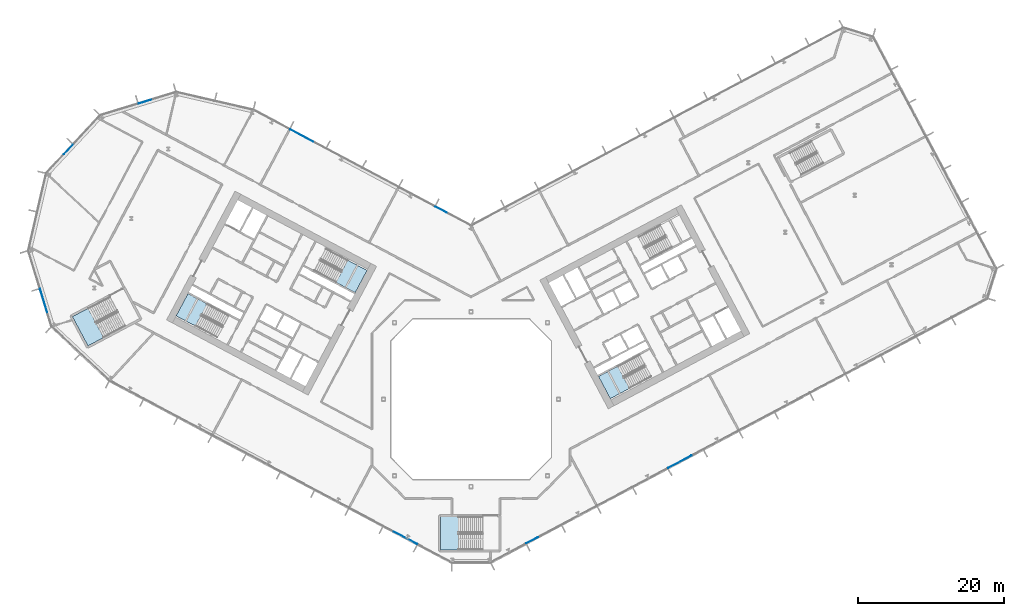
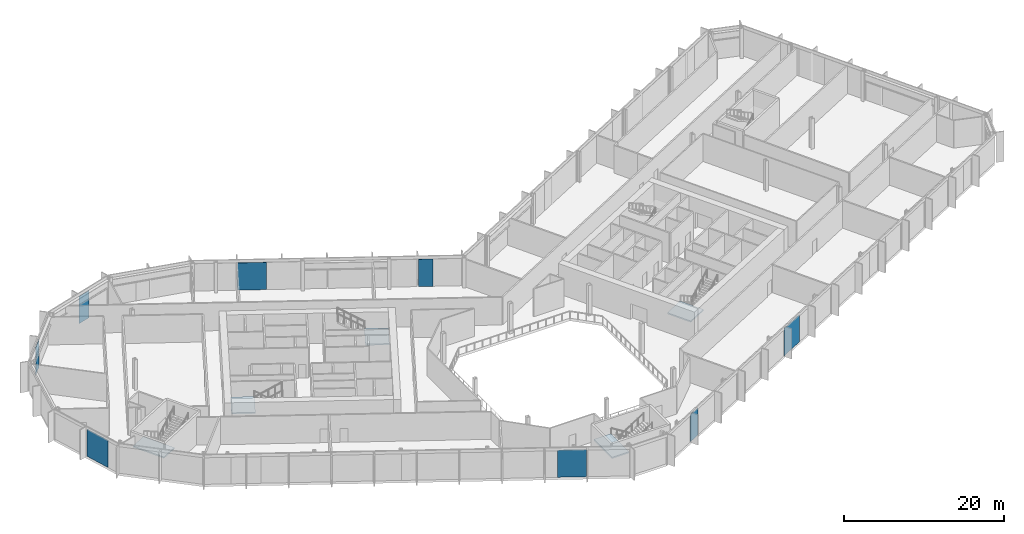
# One storey, part 10 of 32: 8 plates, 5 slabs, 11 elements without a shape of their own.
"""IFC4 building model written with IfcOpenShell, lengths in metres."""

from ifc_helpers import new_model, si_unit, direction, frame, origin, origin_2d, place, context, subcontext, project, spatial, polyline, rectangle, outline, extrude, material, layer, layer_set, type_object, element, aggregate, save


model = new_model("IFC4")

# Units and contexts
model_context = context("Model", 3, precision=1e-05, world=origin(), true_north=direction((0.0, 1.0)))
body_context = subcontext(model_context, "Body", "Model", "MODEL_VIEW")
ifc_project = project(units=[si_unit("LENGTHUNIT", "METRE"), si_unit("AREAUNIT", "SQUARE_METRE"), si_unit("VOLUMEUNIT", "CUBIC_METRE"), si_unit("PLANEANGLEUNIT", "RADIAN"), si_unit("MASSUNIT", "GRAM", prefix="KILO")], contexts=[model_context])

# Site, building, storey
site_placement = place(None, origin())
site = spatial("IfcSite", under=ifc_project, at=site_placement, CompositionType="ELEMENT")
building_placement = place(site_placement, origin())
building = spatial("IfcBuilding", under=site, at=building_placement, Name="Cormorant Relay Tower", CompositionType="ELEMENT")
storey_placement = place(building_placement, frame((0.0, 0.0, 66.199951171875)))
storey = spatial("IfcBuildingStorey", under=building, at=storey_placement, Name="L12", CompositionType="ELEMENT", Elevation=66.199951171875)

# Curtain wall, plate
ifc_material_1 = material(Name="Aluminium 6063-T6 anodised bronze", Category="aluminium")
ifc_layer_1 = layer(ifc_material_1, 0.199951171875)
ifc_layer_set_1 = layer_set([ifc_layer_1], Name="CW1 unitised bronze curtain wall with vertical fins")
curtain_wall_type = type_object("IfcCurtainWallType", Name="CW1 unitised bronze curtain wall with vertical fins", PredefinedType="NOTDEFINED", material=ifc_layer_set_1)
curtain_wall_1_placement = place(storey_placement, origin())
curtain_wall_1 = element("IfcCurtainWall", 1, at=curtain_wall_1_placement, inside=storey, type_object=curtain_wall_type, Name="CW1 curtain wall 2", PredefinedType="NOTDEFINED")
ifc_material_2 = material(Name="Tinted laminated glass", Category="glass")
ifc_layer_2 = layer(ifc_material_2, 0.0400390625)
ifc_layer_set_2 = layer_set([ifc_layer_2], Name="CW1 tinted vision panel 1800 module")
plate_type_1 = type_object("IfcPlateType", Name="CW1 tinted vision panel 1800 module", PredefinedType="CURTAIN_PANEL", material=ifc_layer_set_2)
plate_1_placement = place(storey_placement, frame((8.3857421875, -19.347900390625, 0.0), z_axis=(0.0, 0.0, 1.0), x_axis=(0.882947592859, 0.469471562786, 0.0)))
plate_1 = element("IfcPlate", 2, at=plate_1_placement, type_object=plate_type_1, Name="CW1 panel V01", PredefinedType="CURTAIN_PANEL", context=body_context, shape_type="SweptSolid", body=[
    extrude(rectangle(XDim=1.800048828125, YDim=0.0400390625, at=origin_2d()), origin(), (0.0, 0.0, 1.0), 4.14990234375),
])

curtain_wall_2_placement = place(storey_placement, origin())
curtain_wall_2 = element("IfcCurtainWall", 3, at=curtain_wall_2_placement, inside=storey, type_object=curtain_wall_type, Name="CW1 curtain wall 7", PredefinedType="NOTDEFINED")
plate_2_placement = place(storey_placement, frame((-4.108642578125, 25.9912109375, 0.0), z_axis=(0.0, 0.0, 1.0), x_axis=(-0.882947592859, 0.469471562786, 0.0)))
plate_2 = element("IfcPlate", 4, at=plate_2_placement, type_object=plate_type_1, Name="CW1 panel V01", PredefinedType="CURTAIN_PANEL", context=body_context, shape_type="SweptSolid", body=[
    extrude(rectangle(XDim=1.800048828125, YDim=0.0400390625, at=origin_2d()), origin(), (0.0, 0.0, 1.0), 4.14990234375),
])

curtain_wall_3_placement = place(storey_placement, origin())
curtain_wall_3 = element("IfcCurtainWall", 5, at=curtain_wall_3_placement, inside=storey, type_object=curtain_wall_type, Name="CW1 curtain wall 9", PredefinedType="NOTDEFINED")
plate_3_placement = place(storey_placement, frame((-44.73681640625, 40.82861328125, 0.0), z_axis=(0.0, 0.0, 1.0), x_axis=(-0.956304755963, -0.292371704723, 0.0)))
plate_3 = element("IfcPlate", 6, at=plate_3_placement, type_object=plate_type_1, Name="CW1 panel V01", PredefinedType="CURTAIN_PANEL", context=body_context, shape_type="SweptSolid", body=[
    extrude(rectangle(XDim=1.800048828125, YDim=0.0400390625, at=origin_2d()), origin(), (0.0, 0.0, 1.0), 4.14990234375),
])
aggregate(curtain_wall_3, [plate_3])

curtain_wall_4_placement = place(storey_placement, origin())
curtain_wall_4 = element("IfcCurtainWall", 7, at=curtain_wall_4_placement, inside=storey, type_object=curtain_wall_type, Name="CW1 curtain wall 10", PredefinedType="NOTDEFINED")
plate_4_placement = place(storey_placement, frame((-55.247314453125, 34.2607421875, 0.0), z_axis=(0.0, 0.0, 1.0), x_axis=(-0.681998360062, -0.731353701619, 0.0)))
plate_4 = element("IfcPlate", 8, at=plate_4_placement, type_object=plate_type_1, Name="CW1 panel V01", PredefinedType="CURTAIN_PANEL", context=body_context, shape_type="SweptSolid", body=[
    extrude(rectangle(XDim=1.800048828125, YDim=0.0400390625, at=origin_2d()), origin(), (0.0, 0.0, 1.0), 4.14990234375),
])
aggregate(curtain_wall_4, [plate_4])

# Plate
ifc_material_3 = material(Name="Tinted laminated glass", Category="glass")
ifc_layer_3 = layer(ifc_material_3, 0.0400390625)
ifc_layer_set_3 = layer_set([ifc_layer_3], Name="CW1 tinted vision panel 3600 module")
plate_type_2 = type_object("IfcPlateType", Name="CW1 tinted vision panel 3600 module", PredefinedType="CURTAIN_PANEL", material=ifc_layer_set_3)
plate_5_placement = place(storey_placement, frame((28.647216796875, -8.57470703125, 0.0), z_axis=(0.0, 0.0, 1.0), x_axis=(0.882947592859, 0.469471562786, 0.0)))
plate_5 = element("IfcPlate", 9, at=plate_5_placement, type_object=plate_type_2, Name="CW1 panel V05", PredefinedType="CURTAIN_PANEL", context=body_context, shape_type="SweptSolid", body=[
    extrude(rectangle(XDim=3.60009765625, YDim=0.0400390625, at=origin_2d()), origin(), (0.0, 0.0, 1.0), 4.14990234375),
])

aggregate(curtain_wall_1, [plate_1, plate_5])

plate_6_placement = place(storey_placement, frame((-23.22998046875, 36.158203125, 0.0), z_axis=(0.0, 0.0, 1.0), x_axis=(-0.882947592859, 0.469471562786, 0.0)))
plate_6 = element("IfcPlate", 10, at=plate_6_placement, type_object=plate_type_2, Name="CW1 panel V05", PredefinedType="CURTAIN_PANEL", context=body_context, shape_type="SweptSolid", body=[
    extrude(rectangle(XDim=3.60009765625, YDim=0.0400390625, at=origin_2d()), origin(), (0.0, 0.0, 1.0), 4.14990234375),
])

aggregate(curtain_wall_2, [plate_2, plate_6])

# Curtain wall, plate
curtain_wall_5_placement = place(storey_placement, origin())
curtain_wall_5 = element("IfcCurtainWall", 11, at=curtain_wall_5_placement, inside=storey, type_object=curtain_wall_type, Name="CW1 curtain wall 12", PredefinedType="NOTDEFINED")
plate_7_placement = place(storey_placement, frame((-58.601806640625, 13.396728515625, 0.0), z_axis=(0.0, 0.0, 1.0), x_axis=(0.292371704723, -0.956304755963, 0.0)))
plate_7 = element("IfcPlate", 12, at=plate_7_placement, type_object=plate_type_2, Name="CW1 panel V01", PredefinedType="CURTAIN_PANEL", context=body_context, shape_type="SweptSolid", body=[
    extrude(rectangle(XDim=3.60009765625, YDim=0.0400390625, at=origin_2d()), origin(), (0.0, 0.0, 1.0), 4.14990234375),
])
aggregate(curtain_wall_5, [plate_7])

curtain_wall_6_placement = place(storey_placement, origin())
curtain_wall_6 = element("IfcCurtainWall", 13, at=curtain_wall_6_placement, inside=storey, type_object=curtain_wall_type, Name="CW1 curtain wall 14", PredefinedType="NOTDEFINED")
plate_8_placement = place(storey_placement, frame((-9.008056640625, -19.01708984375, 0.0), z_axis=(0.0, 0.0, 1.0), x_axis=(0.882947592859, -0.469471562786, 0.0)))
plate_8 = element("IfcPlate", 14, at=plate_8_placement, type_object=plate_type_2, Name="CW1 panel V08", PredefinedType="CURTAIN_PANEL", context=body_context, shape_type="SweptSolid", body=[
    extrude(rectangle(XDim=3.60009765625, YDim=0.0400390625, at=origin_2d()), origin(), (0.0, 0.0, 1.0), 4.14990234375),
])
aggregate(curtain_wall_6, [plate_8])

# Stair, slab
ifc_material_4 = material(Name="Concrete 40 MPa", Category="concrete")
stair_type_1 = type_object("IfcStairType", Name="Exit stair 1500", PredefinedType="HALF_TURN_STAIR", material=ifc_material_4)
stair_1_placement = place(storey_placement, origin())
stair_1 = element("IfcStair", 15, at=stair_1_placement, inside=storey, type_object=stair_type_1, Name="L12 Stair", PredefinedType="HALF_TURN_STAIR")
ifc_material_5 = material(Name="Concrete 40 MPa", Category="concrete")
ifc_layer_4 = layer(ifc_material_5, 0.199951171875)
ifc_layer_set_4 = layer_set([ifc_layer_4], Name="Exit stair landing 200")
slab_type = type_object("IfcSlabType", Name="Exit stair landing 200", PredefinedType="LANDING", material=ifc_layer_set_4)
slab_1_placement = place(storey_placement, frame((0.0, 0.0, 2.10009765625)))
slab_1 = element("IfcSlab", 16, at=slab_1_placement, type_object=slab_type, Name="A1 landing 1", PredefinedType="LANDING", context=body_context, shape_type="SweptSolid", body=[
    extrude(outline(polyline([(-18.534912109375, 16.02783203125), (-15.89501953125, 14.6240234375), (-14.275390625, 17.670166015625), (-16.915283203125, 19.073974609375), (-18.534912109375, 16.02783203125)])), origin(), (0.0, 0.0, 1.0), 0.199951171875),
])
aggregate(stair_1, [slab_1])

stair_2_placement = place(storey_placement, origin())
stair_2 = element("IfcStair", 17, at=stair_2_placement, inside=storey, type_object=stair_type_1, Name="L12 Stair", PredefinedType="HALF_TURN_STAIR")
slab_2_placement = place(storey_placement, frame((0.0, 0.0, 2.10009765625)))
slab_2 = element("IfcSlab", 18, at=slab_2_placement, type_object=slab_type, Name="A2 landing 1", PredefinedType="LANDING", context=body_context, shape_type="SweptSolid", body=[
    extrude(outline(polyline([(-36.207763671875, 13.07958984375), (-38.84765625, 14.483154296875), (-40.467529296875, 11.43701171875), (-37.827392578125, 10.033447265625), (-36.207763671875, 13.07958984375)])), origin(), (0.0, 0.0, 1.0), 0.199951171875),
])
aggregate(stair_2, [slab_2])

stair_3_placement = place(storey_placement, origin())
stair_3 = element("IfcStair", 19, at=stair_3_placement, inside=storey, type_object=stair_type_1, Name="L12 Stair", PredefinedType="HALF_TURN_STAIR")
slab_3_placement = place(storey_placement, frame((0.0, 0.0, 2.10009765625)))
slab_3 = element("IfcSlab", 20, at=slab_3_placement, type_object=slab_type, Name="B1 landing 1", PredefinedType="LANDING", context=body_context, shape_type="SweptSolid", body=[
    extrude(outline(polyline([(20.120361328125, 4.525634765625), (17.48046875, 3.1220703125), (19.10009765625, 0.075927734375), (21.740234375, 1.4794921875), (20.120361328125, 4.525634765625)])), origin(), (0.0, 0.0, 1.0), 0.199951171875),
])
aggregate(stair_3, [slab_3])

ifc_material_6 = material(Name="Concrete 40 MPa", Category="concrete")
stair_type_2 = type_object("IfcStairType", Name="Remote exit stair 2200", PredefinedType="HALF_TURN_STAIR", material=ifc_material_6)
stair_4_placement = place(storey_placement, origin())
stair_4 = element("IfcStair", 21, at=stair_4_placement, inside=storey, type_object=stair_type_2, Name="L12 Stair", PredefinedType="HALF_TURN_STAIR")
slab_4_placement = place(storey_placement, frame((0.0, 0.0, 2.10009765625)))
slab_4 = element("IfcSlab", 22, at=slab_4_placement, type_object=slab_type, Name="RK1 landing 1", PredefinedType="LANDING", context=body_context, shape_type="SweptSolid", body=[
    extrude(outline(polyline([(-1.760009765625, -16.125), (-4.199951171875, -16.125), (-4.199951171875, -20.675048828125), (-1.760009765625, -20.675048828125), (-1.760009765625, -16.125)])), origin(), (0.0, 0.0, 1.0), 0.199951171875),
])
aggregate(stair_4, [slab_4])

stair_5_placement = place(storey_placement, origin())
stair_5 = element("IfcStair", 23, at=stair_5_placement, inside=storey, type_object=stair_type_2, Name="L12 Stair", PredefinedType="HALF_TURN_STAIR")
slab_5_placement = place(storey_placement, frame((0.0, 0.0, 2.10009765625)))
slab_5 = element("IfcSlab", 24, at=slab_5_placement, type_object=slab_type, Name="RP1 landing 1", PredefinedType="LANDING", context=body_context, shape_type="SweptSolid", body=[
    extrude(outline(polyline([(-52.54541015625, 12.476318359375), (-54.699951171875, 11.330810546875), (-52.563720703125, 7.3134765625), (-50.409423828125, 8.458984375), (-52.54541015625, 12.476318359375)])), origin(), (0.0, 0.0, 1.0), 0.199951171875),
])
aggregate(stair_5, [slab_5])

save(model, "model.ifc")
